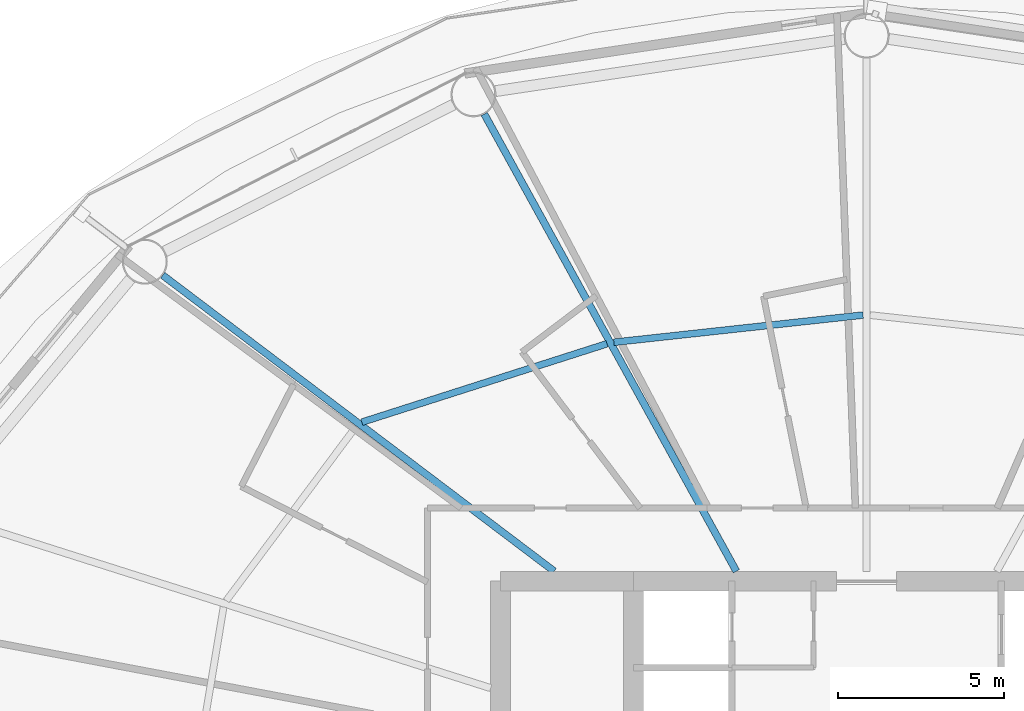
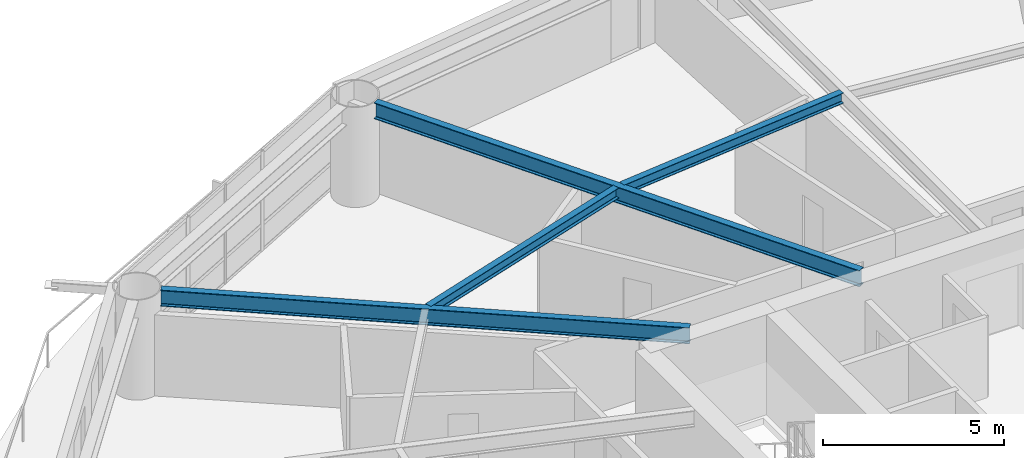
# One storey, part 11 of 26: 4 beams.
"""IFC4 building model written with IfcOpenShell, lengths in metres."""

import ifcopenshell
import ifcopenshell.guid

model = None  # the IFC model being written
_history = None  # IfcOwnerHistory: only IFC2X3 demands one
_inside = {}  # id of a spatial element -> (the spatial element, [elements in it])
_under = {}  # id of a project, library or spatial element -> (it, [spatial elements below it])
_declared = {}  # id of a project -> (the project, [libraries it declares])
_typed = {}  # id of a type object -> (the type object, [elements of that type])
_made_of = {}  # id of a material, layer set ... -> (it, [elements and type objects made of it])


def new_model(schema):
    """Start an empty IFC model of exactly this schema.

    Asked for "IFC4X3", IfcOpenShell would pick the latest addendum, in which some entities
    have other attributes; the version numbers below select the first issue.
    IFC2X3 requires an IfcOwnerHistory on every rooted entity: one is made here for all.
    """
    global model, _history
    if schema == "IFC4X3":
        model = ifcopenshell.file(schema_version=(4, 3, 0, 0))
    else:
        model = ifcopenshell.file(schema=schema)
    _inside.clear()
    _under.clear()
    _declared.clear()
    _typed.clear()
    _made_of.clear()
    _history = None
    if model.schema == "IFC2X3":
        org = make("IfcOrganization", Name="unknown")
        user = make(
            "IfcPersonAndOrganization",
            ThePerson=make("IfcPerson", FamilyName="unknown"),
            TheOrganization=org,
        )
        app = make(
            "IfcApplication",
            ApplicationDeveloper=org,
            Version="unknown",
            ApplicationFullName="unknown",
            ApplicationIdentifier="unknown",
        )
        _history = make(
            "IfcOwnerHistory",
            OwningUser=user,
            OwningApplication=app,
            ChangeAction="ADDED",
            CreationDate=0,
        )
    return model


def make(cls, **values):
    """One entity of the class cls with the attributes given. An attribute that is None is left unset."""
    return model.create_entity(
        cls, **{name: value for name, value in values.items() if value is not None}
    )


def rooted(cls, **values):
    """An entity with a GlobalId (a new one), such as an element, a storey or a relation."""
    return make(cls, GlobalId=ifcopenshell.guid.new(), OwnerHistory=_history, **values)


def si_unit(unit_type, name, prefix=None):
    """IfcSIUnit, for example si_unit("LENGTHUNIT", "METRE", prefix="MILLI")."""
    return make("IfcSIUnit", UnitType=unit_type, Prefix=prefix, Name=name)


def assignment(units):
    """IfcUnitAssignment: the units of a project."""
    return None if units is None else make("IfcUnitAssignment", Units=units)


def point(xyz):
    """IfcCartesianPoint."""
    return None if xyz is None else make("IfcCartesianPoint", Coordinates=xyz)


def direction(xyz):
    """IfcDirection."""
    return None if xyz is None else make("IfcDirection", DirectionRatios=xyz)


def frame(location, z_axis=None, x_axis=None):
    """IfcAxis2Placement3D, a coordinate frame: its origin and axes. An axis left out is left unset."""
    return make(
        "IfcAxis2Placement3D",
        Location=point(location),
        Axis=direction(z_axis),
        RefDirection=direction(x_axis),
    )


def frame_2d(location, x_axis=None):
    """IfcAxis2Placement2D, a coordinate frame in the plane: its origin and x axis."""
    return make(
        "IfcAxis2Placement2D", Location=point(location), RefDirection=direction(x_axis)
    )


def origin():
    """The frame at (0, 0, 0) with its axes left unset."""
    return frame((0.0, 0.0, 0.0))


def origin_2d():
    """The frame at (0, 0) in the plane with its x axis left unset."""
    return frame_2d((0.0, 0.0))


def place(relative_to, where):
    """IfcLocalPlacement: puts the frame where relative to a parent placement (None: the world)."""
    return make(
        "IfcLocalPlacement", PlacementRelTo=relative_to, RelativePlacement=where
    )


def context(
    kind, dimensions, precision=None, world=None, true_north=None, identifier=None
):
    """IfcGeometricRepresentationContext, for example the 3D "Model" context."""
    return make(
        "IfcGeometricRepresentationContext",
        ContextIdentifier=identifier,
        ContextType=kind,
        CoordinateSpaceDimension=dimensions,
        Precision=precision,
        WorldCoordinateSystem=world,
        TrueNorth=true_north,
    )


def subcontext(parent, identifier, kind, view, scale=None):
    """IfcGeometricRepresentationSubContext, for example "Body" below "Model"."""
    return make(
        "IfcGeometricRepresentationSubContext",
        ContextIdentifier=identifier,
        ContextType=kind,
        ParentContext=parent,
        TargetScale=scale,
        TargetView=view,
    )


def project(units=None, contexts=None):
    """IfcProject with its units and contexts."""
    return rooted(
        "IfcProject",
        Name="project",
        RepresentationContexts=contexts,
        UnitsInContext=assignment(units),
    )


def spatial(cls, under=None, at=None, **own):
    """A site, building, storey or space (cls), placed at a placement, below another one or the project."""
    s = rooted(cls, ObjectPlacement=at, **own)
    if under is not None:
        _under.setdefault(under.id(), (under, []))[1].append(s)
    return s


def profile(cls, at=None, kind="AREA", **sizes):
    """A parametric profile (cls). Its sizes go by their IFC names, for example OverallWidth=200.0."""
    return make(cls, ProfileType=kind, Position=at, **sizes)


def i_section(**sizes):
    """IfcIShapeProfileDef."""
    return profile("IfcIShapeProfileDef", **sizes)


def extrude(swept, where, along, depth):
    """IfcExtrudedAreaSolid: the profile swept, set in the frame where, extruded along a direction by depth."""
    return make(
        "IfcExtrudedAreaSolid",
        SweptArea=swept,
        Position=where,
        ExtrudedDirection=direction(along),
        Depth=depth,
    )


def shape(context_of_items, identifier, shape_type, items):
    """IfcShapeRepresentation: the items that make up one representation, for example the "Body"."""
    return make(
        "IfcShapeRepresentation",
        ContextOfItems=context_of_items,
        RepresentationIdentifier=identifier,
        RepresentationType=shape_type,
        Items=items,
    )


def material(Name=None, Category=None):
    """IfcMaterial."""
    return make("IfcMaterial", Name=Name, Category=Category)


def material_profile(
    of_material, cross_section, Name=None, Category=None, Priority=None
):
    """IfcMaterialProfile: a cross section and its material."""
    return make(
        "IfcMaterialProfile",
        Name=Name,
        Material=of_material,
        Profile=cross_section,
        Priority=Priority,
        Category=Category,
    )


def profile_set(profiles, Name=None, composite=None):
    """IfcMaterialProfileSet."""
    return make(
        "IfcMaterialProfileSet",
        Name=Name,
        MaterialProfiles=profiles,
        CompositeProfile=composite,
    )


def made_of(thing, what):
    """Note that an element or type object is made of a material, layer set ...; save() writes the relation."""
    if what is not None:
        _made_of.setdefault(what.id(), (what, []))[1].append(thing)
    return thing


def type_object(cls, material=None, **own):
    """A type object (cls), such as IfcWallType, which elements share."""
    return made_of(rooted(cls, **own), material)


def element(
    cls,
    number,
    at=None,
    inside=None,
    cuts=None,
    type_object=None,
    material=None,
    context=None,
    identifier="Body",
    shape_type=None,
    held_by="IfcProductDefinitionShape",
    body=None,
    shapes=None,
    **own,
):
    """One element of the class cls, such as IfcWall. Its Tag is "e" and its number.

    at: its placement. inside: the storey or other place that contains it. cuts: it is an
    opening in that element (IfcRelVoidsElement). A single representation is given by context,
    identifier, shape_type and body (its items); several are given by shapes. held_by: the class
    of the entity that holds the representations. save() writes the other relations.
    """
    e = rooted(cls, Tag="e%d" % number, ObjectPlacement=at, **own)
    if body is not None:
        shapes = [shape(context, identifier, shape_type, body)]
    if shapes is not None:
        e.Representation = make(held_by, Representations=shapes)
    if inside is not None:
        _inside.setdefault(inside.id(), (inside, []))[1].append(e)
    if cuts is not None:
        rooted(
            "IfcRelVoidsElement", RelatingBuildingElement=cuts, RelatedOpeningElement=e
        )
    if type_object is not None:
        _typed.setdefault(type_object.id(), (type_object, []))[1].append(e)
    return made_of(e, material)


def aggregate(whole, parts):
    """IfcRelAggregates: a whole, such as a stair, and the parts it consists of."""
    return rooted("IfcRelAggregates", RelatingObject=whole, RelatedObjects=parts)


def save(model, path):
    """Write the relations noted so far, then the file.

    IfcRelAggregates (storeys below a building ...), IfcRelContainedInSpatialStructure (elements
    in a storey), IfcRelDefinesByType, IfcRelAssociatesMaterial and IfcRelDeclares: one each for
    every whole, place, type object, material and project.
    """
    for whole, parts in _under.values():
        aggregate(whole, parts)
    for where, things in _inside.values():
        rooted(
            "IfcRelContainedInSpatialStructure",
            RelatedElements=things,
            RelatingStructure=where,
        )
    for kind, things in _typed.values():
        rooted("IfcRelDefinesByType", RelatedObjects=things, RelatingType=kind)
    for what, things in _made_of.values():
        rooted("IfcRelAssociatesMaterial", RelatedObjects=things, RelatingMaterial=what)
    for by, libraries in _declared.values():
        rooted("IfcRelDeclares", RelatingContext=by, RelatedDefinitions=libraries)
    model.write(path)


model = new_model("IFC4")

# Units and contexts
model_context = context("Model", 3, precision=1e-05, world=origin(), true_north=direction((0.0, 1.0)))
body_context = subcontext(model_context, "Body", "Model", "MODEL_VIEW")
ifc_project = project(units=[si_unit("LENGTHUNIT", "METRE"), si_unit("AREAUNIT", "SQUARE_METRE"), si_unit("VOLUMEUNIT", "CUBIC_METRE"), si_unit("PLANEANGLEUNIT", "RADIAN"), si_unit("MASSUNIT", "GRAM", prefix="KILO")], contexts=[model_context])

# Site, building, storey
site_placement = place(None, origin())
site = spatial("IfcSite", under=ifc_project, at=site_placement, CompositionType="ELEMENT")
building_placement = place(site_placement, origin())
building = spatial("IfcBuilding", under=site, at=building_placement, Name="Sarneth Arch Tower", CompositionType="ELEMENT")
storey_placement = place(building_placement, frame((0.0, 0.0, 46.199951171875)))
storey = spatial("IfcBuildingStorey", under=building, at=storey_placement, Name="L10", CompositionType="ELEMENT", Elevation=46.199951171875)

# Beams
ifc_material_1 = material(Name="Steel S355", Category="steel")
ifc_material_profile_1 = material_profile(ifc_material_1, i_section(OverallWidth=0.2041015625, OverallDepth=0.35009765625, WebThickness=0.008544921875, FlangeThickness=0.01513671875, FilletRadius=0.014892578125, at=origin_2d()), Name="W360x72")
ifc_profile_set_1 = profile_set([ifc_material_profile_1], Name="Steel S355")
beam_type_1 = type_object("IfcBeamType", Name="BM-JOIST-360D", PredefinedType="JOIST", material=ifc_profile_set_1)
beam_1_placement = place(storey_placement, frame((47.8935546875, 56.80078125, 3.205078125), z_axis=(-0.994095251924, -0.108510967657, 0.0), x_axis=(0.108510967657, -0.994095251924, 0.0)))
element("IfcBeam", 1, at=beam_1_placement, inside=storey, type_object=beam_type_1, Name="L10 Secondary floor joist 05", PredefinedType="JOIST", context=body_context, shape_type="SweptSolid", body=[
    extrude(i_section(OverallWidth=0.2041015625, OverallDepth=0.35009765625, WebThickness=0.008544921875, FlangeThickness=0.01513671875, FilletRadius=0.014892578125, at=origin_2d()), origin(), (0.0, 0.0, 1.0), 7.534912109375),
])
beam_2_placement = place(storey_placement, frame((40.19482421875, 55.938720703125, 3.205078125), z_axis=(-0.952436240143, -0.304737934073, 0.0), x_axis=(0.304737934073, -0.952436240143, 0.0)))
element("IfcBeam", 2, at=beam_2_placement, inside=storey, type_object=beam_type_1, Name="L10 Secondary floor joist 06", PredefinedType="JOIST", context=body_context, shape_type="SweptSolid", body=[
    extrude(i_section(OverallWidth=0.2041015625, OverallDepth=0.35009765625, WebThickness=0.008544921875, FlangeThickness=0.01513671875, FilletRadius=0.014892578125, at=origin_2d()), origin(), (0.0, 0.0, 1.0), 7.735107421875),
])
ifc_material_2 = material(Name="Steel S355", Category="steel")
ifc_material_profile_2 = material_profile(ifc_material_2, i_section(OverallWidth=0.214111328125, OverallDepth=0.549072265625, WebThickness=0.0146484375, FlangeThickness=0.023681640625, FilletRadius=0.01806640625, at=origin_2d()), Name="W530x138")
ifc_profile_set_2 = profile_set([ifc_material_profile_2], Name="Steel S355")
beam_type_2 = type_object("IfcBeamType", Name="BM-RAD-530A", PredefinedType="BEAM", material=ifc_profile_set_2)
beam_3_placement = place(storey_placement, frame((44.08544921875, 49.10009765625, 3.10546875), z_axis=(-0.482837562311, 0.875709933952, 0.0), x_axis=(-0.875709933952, -0.482837562311, 0.0)))
element("IfcBeam", 3, at=beam_3_placement, inside=storey, type_object=beam_type_2, Name="L10 Radial floor girder 06", PredefinedType="BEAM", context=body_context, shape_type="SweptSolid", body=[
    extrude(i_section(OverallWidth=0.214111328125, OverallDepth=0.549072265625, WebThickness=0.0146484375, FlangeThickness=0.023681640625, FilletRadius=0.01806640625, at=origin_2d()), origin(), (0.0, 0.0, 1.0), 15.693359375),
])
beam_4_placement = place(storey_placement, frame((38.609619140625, 49.10009765625, 3.10546875), z_axis=(-0.797656612852, 0.603111870198, 0.0), x_axis=(-0.603111870198, -0.797656612852, 0.0)))
element("IfcBeam", 4, at=beam_4_placement, inside=storey, type_object=beam_type_2, Name="L10 Radial floor girder 07", PredefinedType="BEAM", context=body_context, shape_type="SweptSolid", body=[
    extrude(i_section(OverallWidth=0.214111328125, OverallDepth=0.549072265625, WebThickness=0.0146484375, FlangeThickness=0.023681640625, FilletRadius=0.01806640625, at=origin_2d()), origin(), (0.0, 0.0, 1.0), 14.7529296875),
])

save(model, "model.ifc")
